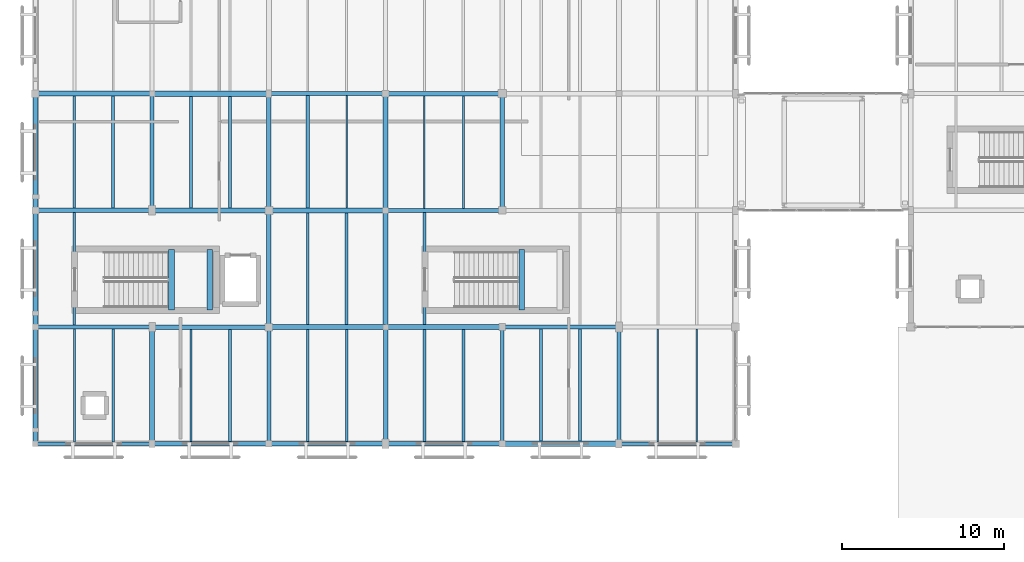
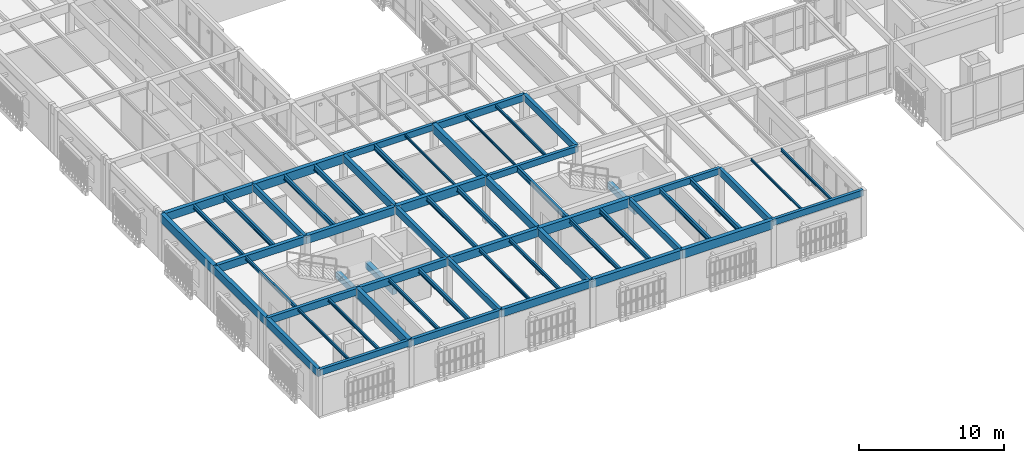
# One storey, part 16 of 217: 60 beams.
"""IFC4 building model written with IfcOpenShell, lengths in metres."""

from ifc_helpers import new_model, si_unit, direction, frame, origin, origin_2d, place, context, subcontext, project, spatial, rectangle, i_section, extrude, material, material_profile, profile_set, type_object, element, save


model = new_model("IFC4")

# Units and contexts
model_context = context("Model", 3, precision=1e-05, world=origin(), true_north=direction((0.0, 1.0)))
body_context = subcontext(model_context, "Body", "Model", "MODEL_VIEW")
ifc_project = project(units=[si_unit("LENGTHUNIT", "METRE"), si_unit("AREAUNIT", "SQUARE_METRE"), si_unit("VOLUMEUNIT", "CUBIC_METRE"), si_unit("PLANEANGLEUNIT", "RADIAN"), si_unit("MASSUNIT", "GRAM", prefix="KILO")], contexts=[model_context])

# Site, building, storey
site_placement = place(None, origin())
site = spatial("IfcSite", under=ifc_project, at=site_placement, CompositionType="ELEMENT")
building_placement = place(site_placement, origin())
building = spatial("IfcBuilding", under=site, at=building_placement, Name="Mazaris Harbour Polytechnic", CompositionType="ELEMENT")
storey_placement = place(building_placement, frame((0.0, 0.0, 9.60009765625)))
storey = spatial("IfcBuildingStorey", under=building, at=storey_placement, Name="L02", CompositionType="ELEMENT", Elevation=9.60009765625)

# Beams
ifc_material_1 = material(Name="Glulam GL32h", Category="wood")
ifc_material_profile_1 = material_profile(ifc_material_1, rectangle(XDim=0.239990234375, YDim=0.52001953125, at=origin_2d()), Name="RECT240x520")
ifc_profile_set_1 = profile_set([ifc_material_profile_1], Name="Glulam GL32h")
beam_type_1 = type_object("IfcBeamType", Name="Glulam Girder 240x520", PredefinedType="BEAM", material=ifc_profile_set_1)
for number, where, z_axis, x_axis, name in (
    (1, (28.800048828125, 14.39990234375, 3.6298828125), (1.0, 0.0, 0.0), (0.0, 1.0, 0.0), "V4 L02 Girder 1905"),
    (2, (21.60009765625, 21.60009765625, 3.6298828125), (1.0, 0.0, 0.0), (0.0, 1.0, 0.0), "V4 L02 Girder 1910"),
):
    element("IfcBeam", number, at=place(storey_placement, frame(where, z_axis=z_axis, x_axis=x_axis)), inside=storey, type_object=beam_type_1, Name=name, PredefinedType="BEAM", context=body_context, shape_type="SweptSolid", body=[
        extrude(rectangle(XDim=0.239990234375, YDim=0.52001953125, at=origin_2d()), origin(), (0.0, 0.0, 1.0), 7.199951171875),
    ])
beam_1_placement = place(storey_placement, frame((14.39990234375, 28.800048828125, 3.6298828125), z_axis=(1.0, 0.0, 0.0), x_axis=(0.0, 1.0, 0.0)))
element("IfcBeam", 3, at=beam_1_placement, inside=storey, type_object=beam_type_1, Name="V4 L02 Girder 1915", PredefinedType="BEAM", context=body_context, shape_type="SweptSolid", body=[
    extrude(rectangle(XDim=0.239990234375, YDim=0.52001953125, at=origin_2d()), origin(), (0.0, 0.0, 1.0), 7.2001953125),
])
for number, where, z_axis, x_axis, name in (
    (4, (7.199951171875, 21.60009765625, 3.6298828125), (0.0, 1.0, 0.0), (-1.0, 0.0, 0.0), "V4 L02 Tie Girder 1980"),
    (5, (14.39990234375, 7.199951171875, 3.6298828125), (0.0, 1.0, 0.0), (-1.0, 0.0, 0.0), "V4 L02 Tie Girder 1990"),
    (6, (28.800048828125, 7.199951171875, 3.6298828125), (0.0, 1.0, 0.0), (-1.0, 0.0, 0.0), "V4 L02 Tie Girder 2010"),
):
    element("IfcBeam", number, at=place(storey_placement, frame(where, z_axis=z_axis, x_axis=x_axis)), inside=storey, type_object=beam_type_1, Name=name, PredefinedType="BEAM", context=body_context, shape_type="SweptSolid", body=[
        extrude(rectangle(XDim=0.239990234375, YDim=0.52001953125, at=origin_2d()), origin(), (0.0, 0.0, 1.0), 7.199951171875),
    ])
ifc_material_2 = material(Name="Glulam GL32h", Category="wood")
ifc_material_profile_2 = material_profile(ifc_material_2, rectangle(XDim=0.239990234375, YDim=0.52001953125, at=origin_2d()), Name="RECT240x520")
ifc_profile_set_2 = profile_set([ifc_material_profile_2], Name="Glulam GL32h")
beam_type_2 = type_object("IfcBeamType", Name="Glulam Girder 240x520 Exterior", PredefinedType="BEAM", material=ifc_profile_set_2)
for number, where, z_axis, x_axis, name in (
    (7, (0.0, 7.199951171875, 3.6298828125), (1.0, 0.0, 0.0), (0.0, 1.0, 0.0), "V4 L02 Girder 1895"),
    (8, (36.0, 7.199951171875, 3.6298828125), (1.0, 0.0, 0.0), (0.0, 1.0, 0.0), "V4 L02 Girder 1900"),
):
    element("IfcBeam", number, at=place(storey_placement, frame(where, z_axis=z_axis, x_axis=x_axis)), inside=storey, type_object=beam_type_2, Name=name, PredefinedType="BEAM", context=body_context, shape_type="SweptSolid", body=[
        extrude(rectangle(XDim=0.239990234375, YDim=0.52001953125, at=origin_2d()), origin(), (0.0, 0.0, 1.0), 7.199951171875),
    ])
ifc_material_3 = material(Name="Glulam GL32h", Category="wood")
ifc_material_profile_3 = material_profile(ifc_material_3, rectangle(XDim=0.260009765625, YDim=0.580078125, at=origin_2d()), Name="RECT260x580")
ifc_profile_set_3 = profile_set([ifc_material_profile_3], Name="Glulam GL32h")
beam_type_3 = type_object("IfcBeamType", Name="Glulam Girder 260x580", PredefinedType="BEAM", material=ifc_profile_set_3)
for number, where, z_axis, x_axis, name in (
    (9, (0.0, 14.39990234375, 3.599853515625), (1.0, 0.0, 0.0), (0.0, 1.0, 0.0), "V4 L02 Girder 1901"),
    (10, (21.60009765625, 28.800048828125, 3.599853515625), (1.0, 0.0, 0.0), (0.0, 1.0, 0.0), "V4 L02 Girder 1916"),
):
    element("IfcBeam", number, at=place(storey_placement, frame(where, z_axis=z_axis, x_axis=x_axis)), inside=storey, type_object=beam_type_3, Name=name, PredefinedType="BEAM", context=body_context, shape_type="SweptSolid", body=[
        extrude(rectangle(XDim=0.260009765625, YDim=0.580078125, at=origin_2d()), origin(), (0.0, 0.0, 1.0), 7.199951171875),
    ])
beam_2_placement = place(storey_placement, frame((14.39990234375, 14.39990234375, 3.599853515625), z_axis=(0.0, 1.0, 0.0), x_axis=(-1.0, 0.0, 0.0)))
element("IfcBeam", 11, at=beam_2_placement, inside=storey, type_object=beam_type_3, Name="V4 L02 Tie Girder 1991", PredefinedType="BEAM", context=body_context, shape_type="SweptSolid", body=[
    extrude(rectangle(XDim=0.260009765625, YDim=0.580078125, at=origin_2d()), origin(), (0.0, 0.0, 1.0), 7.2001953125),
])
for number, where, z_axis, x_axis, name in (
    (12, (28.800048828125, 21.60009765625, 3.599853515625), (0.0, 1.0, 0.0), (-1.0, 0.0, 0.0), "V4 L02 Tie Girder 2011"),
    (13, (36.0, 7.199951171875, 3.599853515625), (0.0, 1.0, 0.0), (-1.0, 0.0, 0.0), "V4 L02 Tie Girder 2021"),
):
    element("IfcBeam", number, at=place(storey_placement, frame(where, z_axis=z_axis, x_axis=x_axis)), inside=storey, type_object=beam_type_3, Name=name, PredefinedType="BEAM", context=body_context, shape_type="SweptSolid", body=[
        extrude(rectangle(XDim=0.260009765625, YDim=0.580078125, at=origin_2d()), origin(), (0.0, 0.0, 1.0), 7.199951171875),
    ])
ifc_material_4 = material(Name="Glulam GL32h", Category="wood")
ifc_material_profile_4 = material_profile(ifc_material_4, rectangle(XDim=0.260009765625, YDim=0.580078125, at=origin_2d()), Name="RECT260x580")
ifc_profile_set_4 = profile_set([ifc_material_profile_4], Name="Glulam GL32h")
beam_type_4 = type_object("IfcBeamType", Name="Glulam Girder 260x580 Exterior", PredefinedType="BEAM", material=ifc_profile_set_4)
beam_3_placement = place(storey_placement, frame((7.199951171875, 7.199951171875, 3.599853515625), z_axis=(1.0, 0.0, 0.0), x_axis=(0.0, 1.0, 0.0)))
element("IfcBeam", 14, at=beam_3_placement, inside=storey, type_object=beam_type_4, Name="V4 L02 Girder 1896", PredefinedType="BEAM", context=body_context, shape_type="SweptSolid", body=[
    extrude(rectangle(XDim=0.260009765625, YDim=0.580078125, at=origin_2d()), origin(), (0.0, 0.0, 1.0), 7.199951171875),
])
ifc_material_5 = material(Name="Glulam GL32h", Category="wood")
ifc_material_profile_5 = material_profile(ifc_material_5, rectangle(XDim=0.280029296875, YDim=0.639892578125, at=origin_2d()), Name="RECT280x640")
ifc_profile_set_5 = profile_set([ifc_material_profile_5], Name="Glulam GL32h")
beam_type_5 = type_object("IfcBeamType", Name="Glulam Girder 280x640", PredefinedType="BEAM", material=ifc_profile_set_5)
for number, where, z_axis, x_axis, name in (
    (15, (7.199951171875, 14.39990234375, 3.56982421875), (1.0, 0.0, 0.0), (0.0, 1.0, 0.0), "V4 L02 Girder 1902"),
    (16, (0.0, 21.60009765625, 3.56982421875), (1.0, 0.0, 0.0), (0.0, 1.0, 0.0), "V4 L02 Girder 1907"),
    (17, (14.39990234375, 21.60009765625, 3.56982421875), (0.0, 1.0, 0.0), (-1.0, 0.0, 0.0), "V4 L02 Tie Girder 1992"),
    (18, (21.60009765625, 7.199951171875, 3.56982421875), (0.0, 1.0, 0.0), (-1.0, 0.0, 0.0), "V4 L02 Tie Girder 2002"),
):
    element("IfcBeam", number, at=place(storey_placement, frame(where, z_axis=z_axis, x_axis=x_axis)), inside=storey, type_object=beam_type_5, Name=name, PredefinedType="BEAM", context=body_context, shape_type="SweptSolid", body=[
        extrude(rectangle(XDim=0.280029296875, YDim=0.639892578125, at=origin_2d()), origin(), (0.0, 0.0, 1.0), 7.199951171875),
    ])
ifc_material_6 = material(Name="Glulam GL32h", Category="wood")
ifc_material_profile_6 = material_profile(ifc_material_6, rectangle(XDim=0.280029296875, YDim=0.639892578125, at=origin_2d()), Name="RECT280x640")
ifc_profile_set_6 = profile_set([ifc_material_profile_6], Name="Glulam GL32h")
beam_type_6 = type_object("IfcBeamType", Name="Glulam Girder 280x640 Exterior", PredefinedType="BEAM", material=ifc_profile_set_6)
beam_4_placement = place(storey_placement, frame((14.39990234375, 7.199951171875, 3.56982421875), z_axis=(1.0, 0.0, 0.0), x_axis=(0.0, 1.0, 0.0)))
element("IfcBeam", 19, at=beam_4_placement, inside=storey, type_object=beam_type_6, Name="V4 L02 Girder 1897", PredefinedType="BEAM", context=body_context, shape_type="SweptSolid", body=[
    extrude(rectangle(XDim=0.280029296875, YDim=0.639892578125, at=origin_2d()), origin(), (0.0, 0.0, 1.0), 7.2001953125),
])
beam_5_placement = place(storey_placement, frame((0.0, 7.199951171875, 3.56982421875), z_axis=(0.0, 1.0, 0.0), x_axis=(-1.0, 0.0, 0.0)))
element("IfcBeam", 20, at=beam_5_placement, inside=storey, type_object=beam_type_6, Name="V4 L02 Tie Girder 1967", PredefinedType="BEAM", context=body_context, shape_type="SweptSolid", body=[
    extrude(rectangle(XDim=0.280029296875, YDim=0.639892578125, at=origin_2d()), origin(), (0.0, 0.0, 1.0), 7.199951171875),
])
ifc_material_7 = material(Name="Glulam GL32h", Category="wood")
ifc_material_profile_7 = material_profile(ifc_material_7, rectangle(XDim=0.300048828125, YDim=0.679931640625, at=origin_2d()), Name="RECT300x680")
ifc_profile_set_7 = profile_set([ifc_material_profile_7], Name="Glulam GL32h")
beam_type_7 = type_object("IfcBeamType", Name="Glulam Girder 300x680", PredefinedType="BEAM", material=ifc_profile_set_7)
beam_6_placement = place(storey_placement, frame((14.39990234375, 14.39990234375, 3.5498046875), z_axis=(1.0, 0.0, 0.0), x_axis=(0.0, 1.0, 0.0)))
element("IfcBeam", 21, at=beam_6_placement, inside=storey, type_object=beam_type_7, Name="V4 L02 Girder 1903", PredefinedType="BEAM", context=body_context, shape_type="SweptSolid", body=[
    extrude(rectangle(XDim=0.300048828125, YDim=0.679931640625, at=origin_2d()), origin(), (0.0, 0.0, 1.0), 7.2001953125),
])
for number, where, z_axis, x_axis, name in (
    (22, (7.199951171875, 21.60009765625, 3.5498046875), (1.0, 0.0, 0.0), (0.0, 1.0, 0.0), "V4 L02 Girder 1908"),
    (23, (0.0, 28.800048828125, 3.5498046875), (1.0, 0.0, 0.0), (0.0, 1.0, 0.0), "V4 L02 Girder 1913"),
):
    element("IfcBeam", number, at=place(storey_placement, frame(where, z_axis=z_axis, x_axis=x_axis)), inside=storey, type_object=beam_type_7, Name=name, PredefinedType="BEAM", context=body_context, shape_type="SweptSolid", body=[
        extrude(rectangle(XDim=0.300048828125, YDim=0.679931640625, at=origin_2d()), origin(), (0.0, 0.0, 1.0), 7.199951171875),
    ])
beam_7_placement = place(storey_placement, frame((21.60009765625, 14.39990234375, 3.5498046875), z_axis=(0.0, 1.0, 0.0), x_axis=(-1.0, 0.0, 0.0)))
element("IfcBeam", 24, at=beam_7_placement, inside=storey, type_object=beam_type_7, Name="V4 L02 Tie Girder 2003", PredefinedType="BEAM", context=body_context, shape_type="SweptSolid", body=[
    extrude(rectangle(XDim=0.300048828125, YDim=0.679931640625, at=origin_2d()), origin(), (0.0, 0.0, 1.0), 7.2001953125),
])
ifc_material_8 = material(Name="Glulam GL32h", Category="wood")
ifc_material_profile_8 = material_profile(ifc_material_8, rectangle(XDim=0.300048828125, YDim=0.679931640625, at=origin_2d()), Name="RECT300x680")
ifc_profile_set_8 = profile_set([ifc_material_profile_8], Name="Glulam GL32h")
beam_type_8 = type_object("IfcBeamType", Name="Glulam Girder 300x680 Exterior", PredefinedType="BEAM", material=ifc_profile_set_8)
beam_8_placement = place(storey_placement, frame((21.60009765625, 7.199951171875, 3.5498046875), z_axis=(1.0, 0.0, 0.0), x_axis=(0.0, 1.0, 0.0)))
element("IfcBeam", 25, at=beam_8_placement, inside=storey, type_object=beam_type_8, Name="V4 L02 Girder 1898", PredefinedType="BEAM", context=body_context, shape_type="SweptSolid", body=[
    extrude(rectangle(XDim=0.300048828125, YDim=0.679931640625, at=origin_2d()), origin(), (0.0, 0.0, 1.0), 7.199951171875),
])
beam_9_placement = place(storey_placement, frame((0.0, 14.39990234375, 3.5498046875), z_axis=(0.0, 1.0, 0.0), x_axis=(-1.0, 0.0, 0.0)))
element("IfcBeam", 26, at=beam_9_placement, inside=storey, type_object=beam_type_8, Name="V4 L02 Tie Girder 1968", PredefinedType="BEAM", context=body_context, shape_type="SweptSolid", body=[
    extrude(rectangle(XDim=0.300048828125, YDim=0.679931640625, at=origin_2d()), origin(), (0.0, 0.0, 1.0), 7.2001953125),
])
ifc_material_9 = material(Name="Glulam GL32h", Category="wood")
ifc_material_profile_9 = material_profile(ifc_material_9, rectangle(XDim=0.320068359375, YDim=0.739990234375, at=origin_2d()), Name="RECT320x740")
ifc_profile_set_9 = profile_set([ifc_material_profile_9], Name="Glulam GL32h")
beam_type_9 = type_object("IfcBeamType", Name="Glulam Girder 320x740", PredefinedType="BEAM", material=ifc_profile_set_9)
beam_10_placement = place(storey_placement, frame((21.60009765625, 14.39990234375, 3.52001953125), z_axis=(1.0, 0.0, 0.0), x_axis=(0.0, 1.0, 0.0)))
element("IfcBeam", 27, at=beam_10_placement, inside=storey, type_object=beam_type_9, Name="V4 L02 Girder 1904", PredefinedType="BEAM", context=body_context, shape_type="SweptSolid", body=[
    extrude(rectangle(XDim=0.320068359375, YDim=0.739990234375, at=origin_2d()), origin(), (0.0, 0.0, 1.0), 7.199951171875),
])
beam_11_placement = place(storey_placement, frame((14.39990234375, 21.60009765625, 3.52001953125), z_axis=(1.0, 0.0, 0.0), x_axis=(0.0, 1.0, 0.0)))
element("IfcBeam", 28, at=beam_11_placement, inside=storey, type_object=beam_type_9, Name="V4 L02 Girder 1909", PredefinedType="BEAM", context=body_context, shape_type="SweptSolid", body=[
    extrude(rectangle(XDim=0.320068359375, YDim=0.739990234375, at=origin_2d()), origin(), (0.0, 0.0, 1.0), 7.2001953125),
])
for number, where, z_axis, x_axis, name in (
    (29, (7.199951171875, 28.800048828125, 3.52001953125), (1.0, 0.0, 0.0), (0.0, 1.0, 0.0), "V4 L02 Girder 1914"),
    (30, (7.199951171875, 7.199951171875, 3.52001953125), (0.0, 1.0, 0.0), (-1.0, 0.0, 0.0), "V4 L02 Tie Girder 1979"),
    (31, (21.60009765625, 21.60009765625, 3.52001953125), (0.0, 1.0, 0.0), (-1.0, 0.0, 0.0), "V4 L02 Tie Girder 2004"),
):
    element("IfcBeam", number, at=place(storey_placement, frame(where, z_axis=z_axis, x_axis=x_axis)), inside=storey, type_object=beam_type_9, Name=name, PredefinedType="BEAM", context=body_context, shape_type="SweptSolid", body=[
        extrude(rectangle(XDim=0.320068359375, YDim=0.739990234375, at=origin_2d()), origin(), (0.0, 0.0, 1.0), 7.199951171875),
    ])
ifc_material_10 = material(Name="Glulam GL32h", Category="wood")
ifc_material_profile_10 = material_profile(ifc_material_10, rectangle(XDim=0.320068359375, YDim=0.739990234375, at=origin_2d()), Name="RECT320x740")
ifc_profile_set_10 = profile_set([ifc_material_profile_10], Name="Glulam GL32h")
beam_type_10 = type_object("IfcBeamType", Name="Glulam Girder 320x740 Exterior", PredefinedType="BEAM", material=ifc_profile_set_10)
for number, where, z_axis, x_axis, name in (
    (32, (28.800048828125, 7.199951171875, 3.52001953125), (1.0, 0.0, 0.0), (0.0, 1.0, 0.0), "V4 L02 Girder 1899"),
    (33, (0.0, 21.60009765625, 3.52001953125), (0.0, 1.0, 0.0), (-1.0, 0.0, 0.0), "V4 L02 Tie Girder 1969"),
):
    element("IfcBeam", number, at=place(storey_placement, frame(where, z_axis=z_axis, x_axis=x_axis)), inside=storey, type_object=beam_type_10, Name=name, PredefinedType="BEAM", context=body_context, shape_type="SweptSolid", body=[
        extrude(rectangle(XDim=0.320068359375, YDim=0.739990234375, at=origin_2d()), origin(), (0.0, 0.0, 1.0), 7.199951171875),
    ])
ifc_material_11 = material(Name="Concrete C40/50", Category="concrete")
ifc_material_profile_11 = material_profile(ifc_material_11, rectangle(XDim=0.35009765625, YDim=0.52001953125, at=origin_2d()), Name="RECT350x520")
ifc_profile_set_11 = profile_set([ifc_material_profile_11], Name="Concrete C40/50")
beam_type_11 = type_object("IfcBeamType", Name="RC Landing Bearer 350x520", PredefinedType="BEAM", material=ifc_profile_set_11)
for number, where, z_axis, x_axis, name in (
    (34, (8.39990234375, 15.449951171875, 1.639892578125), (0.0, 1.0, 0.0), (-1.0, 0.0, 0.0), "Core ST07 L02 Landing Bearer"),
    (35, (10.75, 15.449951171875, 1.639892578125), (0.0, 1.0, 0.0), (-1.0, 0.0, 0.0), "Core ST07 L02 Landing Bearer"),
    (36, (30.0, 15.449951171875, 1.639892578125), (0.0, 1.0, 0.0), (-1.0, 0.0, 0.0), "Core ST08 L02 Landing Bearer"),
):
    element("IfcBeam", number, at=place(storey_placement, frame(where, z_axis=z_axis, x_axis=x_axis)), inside=storey, type_object=beam_type_11, Name=name, PredefinedType="BEAM", context=body_context, shape_type="SweptSolid", body=[
        extrude(rectangle(XDim=0.35009765625, YDim=0.52001953125, at=origin_2d()), origin(), (0.0, 0.0, 1.0), 3.75),
    ])
ifc_material_12 = material(Name="Steel S355", Category="steel")
ifc_material_profile_12 = material_profile(ifc_material_12, i_section(OverallWidth=0.10009765625, OverallDepth=0.199951171875, WebThickness=0.005615234375, FlangeThickness=0.008544921875, FilletRadius=0.011962890625, at=origin_2d()), Name="IPE 200")
ifc_profile_set_12 = profile_set([ifc_material_profile_12], Name="Steel S355")
beam_type_12 = type_object("IfcBeamType", Name="Steel Joist IPE200", PredefinedType="JOIST", material=ifc_profile_set_12)
beam_12_placement = place(storey_placement, frame((19.199951171875, 21.760009765625, 3.789794921875), z_axis=(0.0, 1.0, 0.0), x_axis=(-1.0, 0.0, 0.0)))
element("IfcBeam", 37, at=beam_12_placement, inside=storey, type_object=beam_type_12, Name="V4 L02 Floor Joist 2093", PredefinedType="JOIST", context=body_context, shape_type="SweptSolid", body=[
    extrude(i_section(OverallWidth=0.10009765625, OverallDepth=0.199951171875, WebThickness=0.005615234375, FlangeThickness=0.008544921875, FilletRadius=0.011962890625, at=origin_2d()), origin(), (0.0, 0.0, 1.0), 6.919921875),
])
for number, where, z_axis, x_axis, name in (
    (38, (24.0, 21.719970703125, 3.789794921875), (0.0, 1.0, 0.0), (-1.0, 0.0, 0.0), "V4 L02 Floor Joist 2107"),
    (39, (38.39990234375, 7.320068359375, 3.789794921875), (0.0, 1.0, 0.0), (-1.0, 0.0, 0.0), "V4 L02 Floor Joist 2142"),
):
    element("IfcBeam", number, at=place(storey_placement, frame(where, z_axis=z_axis, x_axis=x_axis)), inside=storey, type_object=beam_type_12, Name=name, PredefinedType="JOIST", context=body_context, shape_type="SweptSolid", body=[
        extrude(i_section(OverallWidth=0.10009765625, OverallDepth=0.199951171875, WebThickness=0.005615234375, FlangeThickness=0.008544921875, FilletRadius=0.011962890625, at=origin_2d()), origin(), (0.0, 0.0, 1.0), 6.949951171875),
    ])
ifc_material_13 = material(Name="Steel S355", Category="steel")
ifc_material_profile_13 = material_profile(ifc_material_13, i_section(OverallWidth=0.1201171875, OverallDepth=0.239990234375, WebThickness=0.006103515625, FlangeThickness=0.009765625, FilletRadius=0.014892578125, at=origin_2d()), Name="IPE 240")
ifc_profile_set_13 = profile_set([ifc_material_profile_13], Name="Steel S355")
beam_type_13 = type_object("IfcBeamType", Name="Steel Joist IPE240", PredefinedType="JOIST", material=ifc_profile_set_13)
for number, where, z_axis, x_axis, name in (
    (40, (2.39990234375, 7.320068359375, 3.77001953125), (0.0, 1.0, 0.0), (-1.0, 0.0, 0.0), "V4 L02 Floor Joist 2045"),
    (41, (26.39990234375, 21.719970703125, 3.77001953125), (0.0, 1.0, 0.0), (-1.0, 0.0, 0.0), "V4 L02 Floor Joist 2108"),
    (42, (40.800048828125, 7.320068359375, 3.77001953125), (0.0, 1.0, 0.0), (-1.0, 0.0, 0.0), "V4 L02 Floor Joist 2143"),
):
    element("IfcBeam", number, at=place(storey_placement, frame(where, z_axis=z_axis, x_axis=x_axis)), inside=storey, type_object=beam_type_13, Name=name, PredefinedType="JOIST", context=body_context, shape_type="SweptSolid", body=[
        extrude(i_section(OverallWidth=0.1201171875, OverallDepth=0.239990234375, WebThickness=0.006103515625, FlangeThickness=0.009765625, FilletRadius=0.014892578125, at=origin_2d()), origin(), (0.0, 0.0, 1.0), 6.949951171875),
    ])
ifc_material_14 = material(Name="Steel S355", Category="steel")
ifc_material_profile_14 = material_profile(ifc_material_14, i_section(OverallWidth=0.135009765625, OverallDepth=0.27001953125, WebThickness=0.006591796875, FlangeThickness=0.01025390625, FilletRadius=0.014892578125, at=origin_2d()), Name="IPE 270")
ifc_profile_set_14 = profile_set([ifc_material_profile_14], Name="Steel S355")
beam_type_14 = type_object("IfcBeamType", Name="Steel Joist IPE270", PredefinedType="JOIST", material=ifc_profile_set_14)
beam_13_placement = place(storey_placement, frame((4.800048828125, 7.320068359375, 3.7548828125), z_axis=(0.0, 1.0, 0.0), x_axis=(-1.0, 0.0, 0.0)))
element("IfcBeam", 43, at=beam_13_placement, inside=storey, type_object=beam_type_14, Name="V4 L02 Floor Joist 2046", PredefinedType="JOIST", context=body_context, shape_type="SweptSolid", body=[
    extrude(i_section(OverallWidth=0.135009765625, OverallDepth=0.27001953125, WebThickness=0.006591796875, FlangeThickness=0.01025390625, FilletRadius=0.014892578125, at=origin_2d()), origin(), (0.0, 0.0, 1.0), 6.949951171875),
])
beam_14_placement = place(storey_placement, frame((16.800048828125, 7.340087890625, 3.7548828125), z_axis=(0.0, 1.0, 0.0), x_axis=(-1.0, 0.0, 0.0)))
element("IfcBeam", 44, at=beam_14_placement, inside=storey, type_object=beam_type_14, Name="V4 L02 Floor Joist 2088", PredefinedType="JOIST", context=body_context, shape_type="SweptSolid", body=[
    extrude(i_section(OverallWidth=0.135009765625, OverallDepth=0.27001953125, WebThickness=0.006591796875, FlangeThickness=0.01025390625, FilletRadius=0.014892578125, at=origin_2d()), origin(), (0.0, 0.0, 1.0), 6.909912109375),
])
ifc_material_15 = material(Name="Steel S355", Category="steel")
ifc_material_profile_15 = material_profile(ifc_material_15, i_section(OverallWidth=0.14990234375, OverallDepth=0.300048828125, WebThickness=0.007080078125, FlangeThickness=0.0107421875, FilletRadius=0.014892578125, at=origin_2d()), Name="IPE 300")
ifc_profile_set_15 = profile_set([ifc_material_profile_15], Name="Steel S355")
beam_type_15 = type_object("IfcBeamType", Name="Steel Joist IPE300", PredefinedType="JOIST", material=ifc_profile_set_15)
for number, where, z_axis, x_axis, name in (
    (45, (2.39990234375, 14.530029296875, 3.739990234375), (0.0, 1.0, 0.0), (-1.0, 0.0, 0.0), "V4 L02 Floor Joist 2047"),
    (46, (9.60009765625, 7.330078125, 3.739990234375), (0.0, 1.0, 0.0), (-1.0, 0.0, 0.0), "V4 L02 Floor Joist 2068"),
):
    element("IfcBeam", number, at=place(storey_placement, frame(where, z_axis=z_axis, x_axis=x_axis)), inside=storey, type_object=beam_type_15, Name=name, PredefinedType="JOIST", context=body_context, shape_type="SweptSolid", body=[
        extrude(i_section(OverallWidth=0.14990234375, OverallDepth=0.300048828125, WebThickness=0.007080078125, FlangeThickness=0.0107421875, FilletRadius=0.014892578125, at=origin_2d()), origin(), (0.0, 0.0, 1.0), 6.929931640625),
    ])
beam_15_placement = place(storey_placement, frame((19.199951171875, 7.340087890625, 3.739990234375), z_axis=(0.0, 1.0, 0.0), x_axis=(-1.0, 0.0, 0.0)))
element("IfcBeam", 47, at=beam_15_placement, inside=storey, type_object=beam_type_15, Name="V4 L02 Floor Joist 2089", PredefinedType="JOIST", context=body_context, shape_type="SweptSolid", body=[
    extrude(i_section(OverallWidth=0.14990234375, OverallDepth=0.300048828125, WebThickness=0.007080078125, FlangeThickness=0.0107421875, FilletRadius=0.014892578125, at=origin_2d()), origin(), (0.0, 0.0, 1.0), 6.909912109375),
])
ifc_material_16 = material(Name="Steel S355", Category="steel")
ifc_material_profile_16 = material_profile(ifc_material_16, i_section(OverallWidth=0.169921875, OverallDepth=0.360107421875, WebThickness=0.008056640625, FlangeThickness=0.0126953125, FilletRadius=0.01806640625, at=origin_2d()), Name="IPE 360")
ifc_profile_set_16 = profile_set([ifc_material_profile_16], Name="Steel S355")
beam_type_16 = type_object("IfcBeamType", Name="Steel Joist IPE360", PredefinedType="JOIST", material=ifc_profile_set_16)
beam_16_placement = place(storey_placement, frame((2.39990234375, 21.739990234375, 3.7099609375), z_axis=(0.0, 1.0, 0.0), x_axis=(-1.0, 0.0, 0.0)))
element("IfcBeam", 48, at=beam_16_placement, inside=storey, type_object=beam_type_16, Name="V4 L02 Floor Joist 2048", PredefinedType="JOIST", context=body_context, shape_type="SweptSolid", body=[
    extrude(i_section(OverallWidth=0.169921875, OverallDepth=0.360107421875, WebThickness=0.008056640625, FlangeThickness=0.0126953125, FilletRadius=0.01806640625, at=origin_2d()), origin(), (0.0, 0.0, 1.0), 6.909912109375),
])
beam_17_placement = place(storey_placement, frame((12.0, 7.330078125, 3.7099609375), z_axis=(0.0, 1.0, 0.0), x_axis=(-1.0, 0.0, 0.0)))
element("IfcBeam", 49, at=beam_17_placement, inside=storey, type_object=beam_type_16, Name="V4 L02 Floor Joist 2069", PredefinedType="JOIST", context=body_context, shape_type="SweptSolid", body=[
    extrude(i_section(OverallWidth=0.169921875, OverallDepth=0.360107421875, WebThickness=0.008056640625, FlangeThickness=0.0126953125, FilletRadius=0.01806640625, at=origin_2d()), origin(), (0.0, 0.0, 1.0), 6.929931640625),
])
for number, where, z_axis, x_axis, name in (
    (50, (16.800048828125, 14.550048828125, 3.7099609375), (0.0, 1.0, 0.0), (-1.0, 0.0, 0.0), "V4 L02 Floor Joist 2090"),
    (51, (24.0, 7.35009765625, 3.7099609375), (0.0, 1.0, 0.0), (-1.0, 0.0, 0.0), "V4 L02 Floor Joist 2104"),
):
    element("IfcBeam", number, at=place(storey_placement, frame(where, z_axis=z_axis, x_axis=x_axis)), inside=storey, type_object=beam_type_16, Name=name, PredefinedType="JOIST", context=body_context, shape_type="SweptSolid", body=[
        extrude(i_section(OverallWidth=0.169921875, OverallDepth=0.360107421875, WebThickness=0.008056640625, FlangeThickness=0.0126953125, FilletRadius=0.01806640625, at=origin_2d()), origin(), (0.0, 0.0, 1.0), 6.889892578125),
    ])
ifc_material_17 = material(Name="Steel S355", Category="steel")
ifc_material_profile_17 = material_profile(ifc_material_17, i_section(OverallWidth=0.179931640625, OverallDepth=0.39990234375, WebThickness=0.008544921875, FlangeThickness=0.013427734375, FilletRadius=0.02099609375, at=origin_2d()), Name="IPE 400")
ifc_profile_set_17 = profile_set([ifc_material_profile_17], Name="Steel S355")
beam_type_17 = type_object("IfcBeamType", Name="Steel Joist IPE400", PredefinedType="JOIST", material=ifc_profile_set_17)
beam_18_placement = place(storey_placement, frame((4.800048828125, 21.739990234375, 3.68994140625), z_axis=(0.0, 1.0, 0.0), x_axis=(-1.0, 0.0, 0.0)))
element("IfcBeam", 52, at=beam_18_placement, inside=storey, type_object=beam_type_17, Name="V4 L02 Floor Joist 2049", PredefinedType="JOIST", context=body_context, shape_type="SweptSolid", body=[
    extrude(i_section(OverallWidth=0.179931640625, OverallDepth=0.39990234375, WebThickness=0.008544921875, FlangeThickness=0.013427734375, FilletRadius=0.02099609375, at=origin_2d()), origin(), (0.0, 0.0, 1.0), 6.909912109375),
])
for number, where, z_axis, x_axis, name in (
    (53, (9.60009765625, 21.75, 3.68994140625), (0.0, 1.0, 0.0), (-1.0, 0.0, 0.0), "V4 L02 Floor Joist 2070"),
    (54, (19.199951171875, 14.550048828125, 3.68994140625), (0.0, 1.0, 0.0), (-1.0, 0.0, 0.0), "V4 L02 Floor Joist 2091"),
    (55, (26.39990234375, 7.35009765625, 3.68994140625), (0.0, 1.0, 0.0), (-1.0, 0.0, 0.0), "V4 L02 Floor Joist 2105"),
):
    element("IfcBeam", number, at=place(storey_placement, frame(where, z_axis=z_axis, x_axis=x_axis)), inside=storey, type_object=beam_type_17, Name=name, PredefinedType="JOIST", context=body_context, shape_type="SweptSolid", body=[
        extrude(i_section(OverallWidth=0.179931640625, OverallDepth=0.39990234375, WebThickness=0.008544921875, FlangeThickness=0.013427734375, FilletRadius=0.02099609375, at=origin_2d()), origin(), (0.0, 0.0, 1.0), 6.889892578125),
    ])
beam_19_placement = place(storey_placement, frame((31.199951171875, 7.360107421875, 3.68994140625), z_axis=(0.0, 1.0, 0.0), x_axis=(-1.0, 0.0, 0.0)))
element("IfcBeam", 56, at=beam_19_placement, inside=storey, type_object=beam_type_17, Name="V4 L02 Floor Joist 2119", PredefinedType="JOIST", context=body_context, shape_type="SweptSolid", body=[
    extrude(i_section(OverallWidth=0.179931640625, OverallDepth=0.39990234375, WebThickness=0.008544921875, FlangeThickness=0.013427734375, FilletRadius=0.02099609375, at=origin_2d()), origin(), (0.0, 0.0, 1.0), 6.919921875),
])
ifc_material_18 = material(Name="Steel S355", Category="steel")
ifc_material_profile_18 = material_profile(ifc_material_18, i_section(OverallWidth=0.18994140625, OverallDepth=0.449951171875, WebThickness=0.009521484375, FlangeThickness=0.0146484375, FilletRadius=0.02099609375, at=origin_2d()), Name="IPE 450")
ifc_profile_set_18 = profile_set([ifc_material_profile_18], Name="Steel S355")
beam_type_18 = type_object("IfcBeamType", Name="Steel Joist IPE450", PredefinedType="JOIST", material=ifc_profile_set_18)
beam_20_placement = place(storey_placement, frame((12.0, 21.75, 3.664794921875), z_axis=(0.0, 1.0, 0.0), x_axis=(-1.0, 0.0, 0.0)))
element("IfcBeam", 57, at=beam_20_placement, inside=storey, type_object=beam_type_18, Name="V4 L02 Floor Joist 2071", PredefinedType="JOIST", context=body_context, shape_type="SweptSolid", body=[
    extrude(i_section(OverallWidth=0.18994140625, OverallDepth=0.449951171875, WebThickness=0.009521484375, FlangeThickness=0.0146484375, FilletRadius=0.02099609375, at=origin_2d()), origin(), (0.0, 0.0, 1.0), 6.889892578125),
])
for number, where, z_axis, x_axis, name in (
    (58, (16.800048828125, 21.760009765625, 3.664794921875), (0.0, 1.0, 0.0), (-1.0, 0.0, 0.0), "V4 L02 Floor Joist 2092"),
    (59, (24.0, 14.56005859375, 3.664794921875), (0.0, 1.0, 0.0), (-1.0, 0.0, 0.0), "V4 L02 Floor Joist 2106"),
    (60, (33.60009765625, 7.360107421875, 3.664794921875), (0.0, 1.0, 0.0), (-1.0, 0.0, 0.0), "V4 L02 Floor Joist 2120"),
):
    element("IfcBeam", number, at=place(storey_placement, frame(where, z_axis=z_axis, x_axis=x_axis)), inside=storey, type_object=beam_type_18, Name=name, PredefinedType="JOIST", context=body_context, shape_type="SweptSolid", body=[
        extrude(i_section(OverallWidth=0.18994140625, OverallDepth=0.449951171875, WebThickness=0.009521484375, FlangeThickness=0.0146484375, FilletRadius=0.02099609375, at=origin_2d()), origin(), (0.0, 0.0, 1.0), 6.919921875),
    ])

save(model, "model.ifc")
